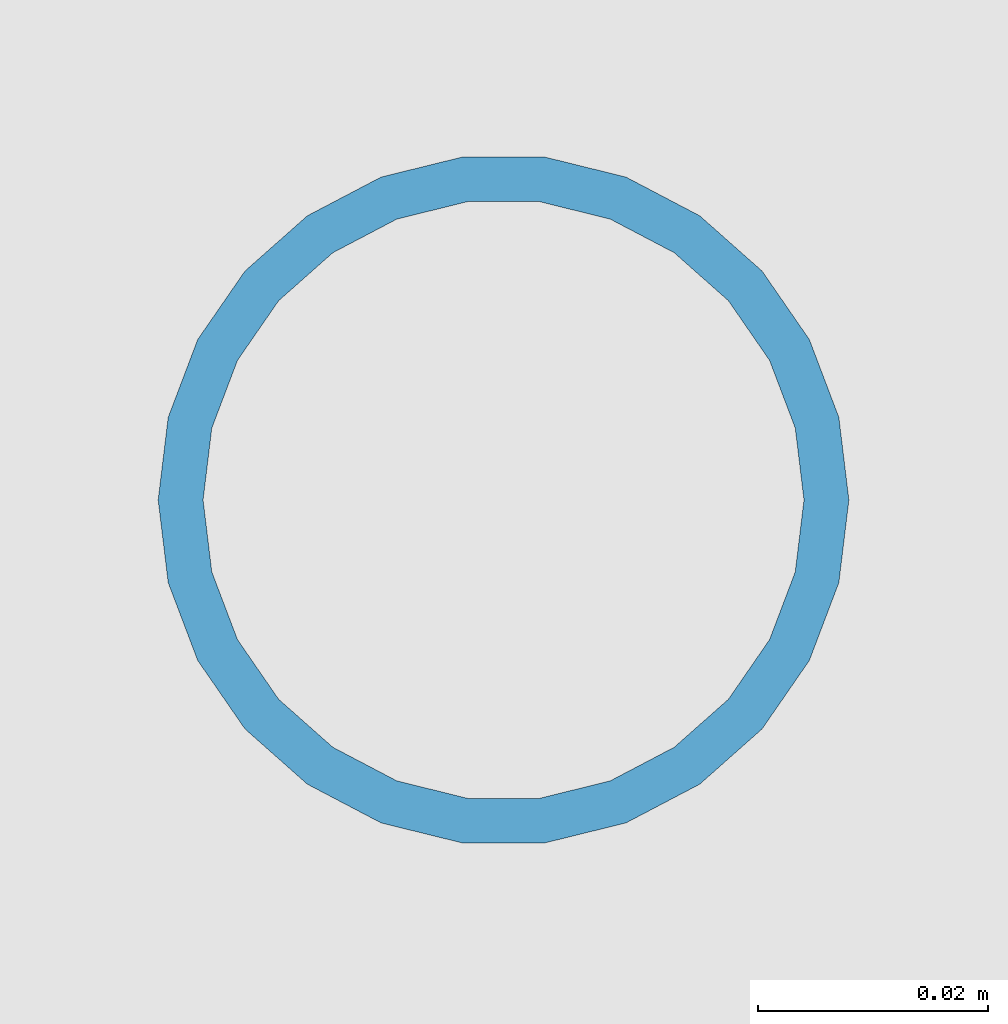
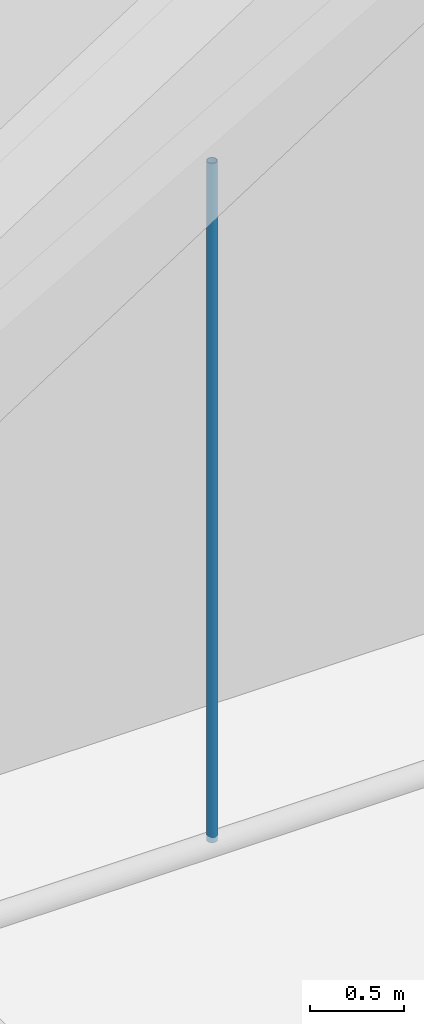
# One storey, part 27 of 94: 1 member.
"""IFC4 building model written with IfcOpenShell, lengths in metres."""

from ifc_helpers import new_model, si_unit, direction, frame, origin, origin_2d, place, context, subcontext, project, spatial, hollow_circle, extrude, material, material_profile, profile_set, type_object, element, save


model = new_model("IFC4")

# Units and contexts
model_context = context("Model", 3, precision=1e-05, world=origin(), true_north=direction((0.0, 1.0)))
body_context = subcontext(model_context, "Body", "Model", "MODEL_VIEW")
ifc_project = project(units=[si_unit("LENGTHUNIT", "METRE"), si_unit("AREAUNIT", "SQUARE_METRE"), si_unit("VOLUMEUNIT", "CUBIC_METRE"), si_unit("PLANEANGLEUNIT", "RADIAN"), si_unit("MASSUNIT", "GRAM", prefix="KILO")], contexts=[model_context])

# Site, building, storey
site_placement = place(None, origin())
site = spatial("IfcSite", under=ifc_project, at=site_placement, CompositionType="ELEMENT")
building_placement = place(site_placement, origin())
building = spatial("IfcBuilding", under=site, at=building_placement, Name="Lunette Opera House", CompositionType="ELEMENT")
storey_placement = place(building_placement, frame((0.0, 0.0, 22.5)))
storey = spatial("IfcBuildingStorey", under=building, at=storey_placement, Name="L04", CompositionType="ELEMENT", Elevation=22.5)

# Member
ifc_material = material(Name="Steel S355", Category="steel")
ifc_material_profile = material_profile(ifc_material, hollow_circle(Radius=0.030029296875, WallThickness=0.00390625, at=origin_2d()), Name="CHS 60.3X4")
ifc_profile_set = profile_set([ifc_material_profile], Name="Steel S355")
member_type = type_object("IfcMemberType", Name="CHS 60.3X4", PredefinedType="POST", material=ifc_profile_set)
member_placement = place(storey_placement, frame((83.0, 90.785888671875, 2.72998046875), z_axis=(0.0, 0.0, 1.0), x_axis=(1.0, 0.0, 0.0)))
element("IfcMember", 1, at=member_placement, inside=storey, type_object=member_type, Name="mem-AU-L04-HG7-83", PredefinedType="POST", context=body_context, shape_type="SweptSolid", body=[
    extrude(hollow_circle(Radius=0.030029296875, WallThickness=0.00390625, at=origin_2d()), origin(), (0.0, 0.0, 1.0), 4.4111328125),
])

save(model, "model.ifc")
